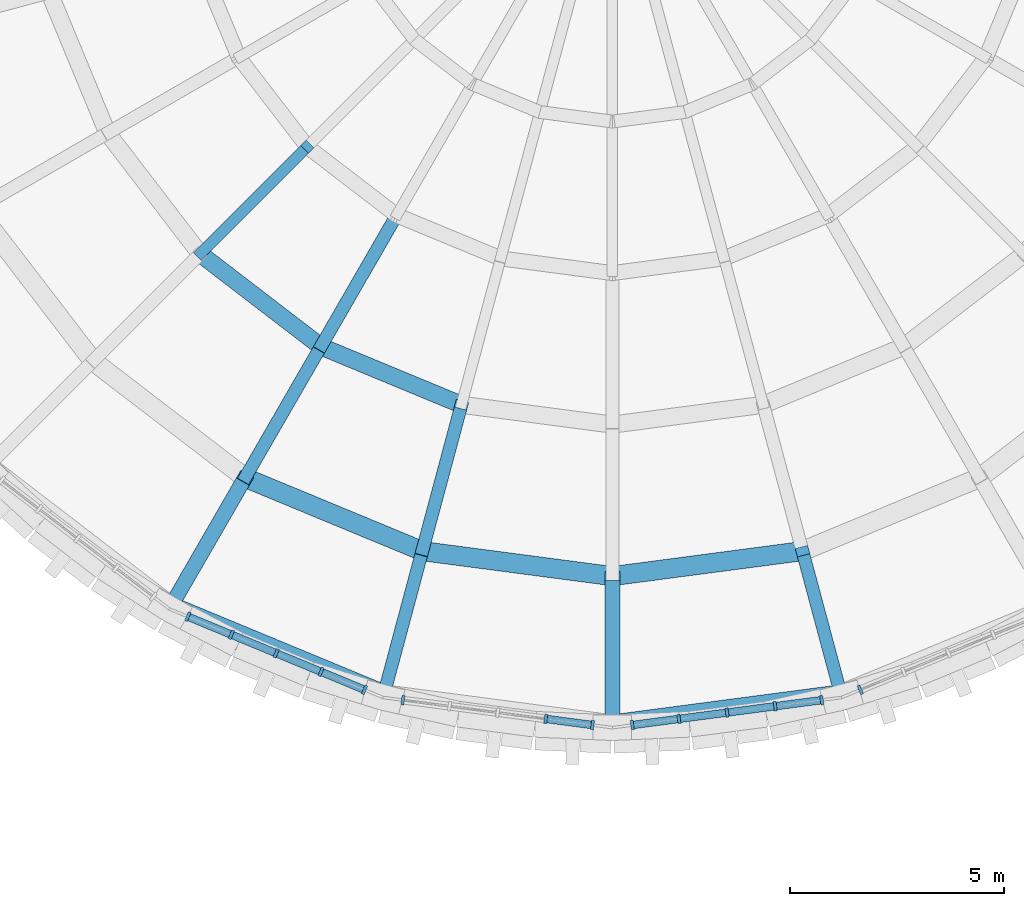
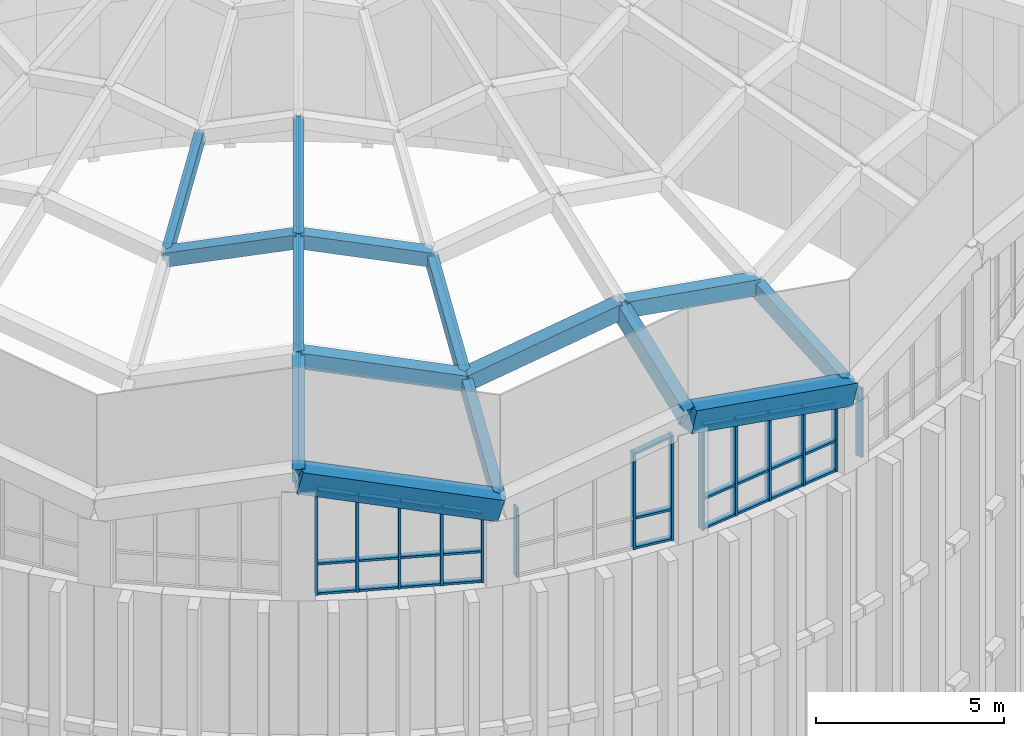
# One storey, part 6 of 82: 41 members, 15 beams, 4 elements without a shape of their own.
"""IFC4 building model written with IfcOpenShell, lengths in metres."""

from ifc_helpers import new_model, si_unit, direction, frame, origin, origin_2d, place, context, subcontext, project, spatial, rectangle, extrude, material, layer, layer_set, material_profile, profile_set, type_object, element, aggregate, save


model = new_model("IFC4")

# Units and contexts
model_context = context("Model", 3, precision=1e-05, world=origin(), true_north=direction((0.0, 1.0)))
body_context = subcontext(model_context, "Body", "Model", "MODEL_VIEW")
ifc_project = project(units=[si_unit("LENGTHUNIT", "METRE"), si_unit("AREAUNIT", "SQUARE_METRE"), si_unit("VOLUMEUNIT", "CUBIC_METRE"), si_unit("PLANEANGLEUNIT", "RADIAN"), si_unit("MASSUNIT", "GRAM", prefix="KILO")], contexts=[model_context])

# Site, building, storey
site_placement = place(None, origin())
site = spatial("IfcSite", under=ifc_project, at=site_placement, CompositionType="ELEMENT")
building_placement = place(site_placement, origin())
building = spatial("IfcBuilding", under=site, at=building_placement, Name="Volute Hill Aquarium", CompositionType="ELEMENT")
storey_placement = place(building_placement, frame((0.0, 0.0, 13.800048828125)))
storey = spatial("IfcBuildingStorey", under=building, at=storey_placement, Name="L04", CompositionType="ELEMENT", Elevation=13.800048828125)

# Curtain wall, members
ifc_material_1 = material(Name="Aluminium", Category="aluminium")
ifc_layer = layer(ifc_material_1, 0.219970703125)
ifc_layer_set = layer_set([ifc_layer], Name="Curtain wall DR clerestory module 1134")
curtain_wall_type = type_object("IfcCurtainWallType", Name="Curtain wall DR clerestory module 1134", PredefinedType="NOTDEFINED", material=ifc_layer_set)
curtain_wall_1_placement = place(storey_placement, origin())
curtain_wall_1 = element("IfcCurtainWall", 1, at=curtain_wall_1_placement, inside=storey, type_object=curtain_wall_type, Name="Curtain wall CW DR clerestory c16", PredefinedType="NOTDEFINED")
ifc_material_2 = material(Name="Aluminium", Category="aluminium")
ifc_material_profile_1 = material_profile(ifc_material_2, rectangle(XDim=0.219970703125, YDim=0.070068359375, at=origin_2d()), Name="Curtain wall mullion clerestory 70x220")
ifc_profile_set_1 = profile_set([ifc_material_profile_1], Name="Aluminium")
member_type_1 = type_object("IfcMemberType", Name="Curtain wall mullion clerestory 70x220", PredefinedType="MULLION", material=ifc_profile_set_1)
member_1_placement = place(storey_placement, frame((-9.916748046875, -18.106201171875, 13.699951171875), z_axis=(0.0, 0.0, 1.0), x_axis=(0.382696102118, 0.923874284426, 0.0)))
member_1 = element("IfcMember", 2, at=member_1_placement, type_object=member_type_1, Name="Mullion DR clerestory 1", PredefinedType="MULLION", context=body_context, shape_type="SweptSolid", body=[
    extrude(rectangle(XDim=0.219970703125, YDim=0.070068359375, at=origin_2d()), origin(), (0.0, 0.0, 1.0), 3.40576171875),
])
member_2_placement = place(storey_placement, frame((-8.9013671875, -18.526611328125, 13.699951171875), z_axis=(0.0, 0.0, 1.0), x_axis=(0.382696102118, 0.923874284426, 0.0)))
member_2 = element("IfcMember", 3, at=member_2_placement, type_object=member_type_1, Name="Mullion DR clerestory 2", PredefinedType="MULLION", context=body_context, shape_type="SweptSolid", body=[
    extrude(rectangle(XDim=0.219970703125, YDim=0.070068359375, at=origin_2d()), origin(), (0.0, 0.0, 1.0), 3.12109375),
])
member_3_placement = place(storey_placement, frame((-7.853759765625, -18.960693359375, 13.699951171875), z_axis=(0.0, 0.0, 1.0), x_axis=(0.382696102118, 0.923874284426, 0.0)))
member_3 = element("IfcMember", 4, at=member_3_placement, type_object=member_type_1, Name="Mullion DR clerestory 3", PredefinedType="MULLION", context=body_context, shape_type="SweptSolid", body=[
    extrude(rectangle(XDim=0.219970703125, YDim=0.070068359375, at=origin_2d()), origin(), (0.0, 0.0, 1.0), 2.827392578125),
])
member_4_placement = place(storey_placement, frame((-6.80615234375, -19.394775390625, 13.699951171875), z_axis=(0.0, 0.0, 1.0), x_axis=(0.382696102118, 0.923874284426, 0.0)))
member_4 = element("IfcMember", 5, at=member_4_placement, type_object=member_type_1, Name="Mullion DR clerestory 4", PredefinedType="MULLION", context=body_context, shape_type="SweptSolid", body=[
    extrude(rectangle(XDim=0.219970703125, YDim=0.070068359375, at=origin_2d()), origin(), (0.0, 0.0, 1.0), 2.533447265625),
])
member_5_placement = place(storey_placement, frame((-5.790771484375, -19.815185546875, 13.699951171875), z_axis=(0.0, 0.0, 1.0), x_axis=(0.382696102118, 0.923874284426, 0.0)))
member_5 = element("IfcMember", 6, at=member_5_placement, type_object=member_type_1, Name="Mullion DR clerestory 5", PredefinedType="MULLION", context=body_context, shape_type="SweptSolid", body=[
    extrude(rectangle(XDim=0.219970703125, YDim=0.070068359375, at=origin_2d()), origin(), (0.0, 0.0, 1.0), 2.248779296875),
])

curtain_wall_2_placement = place(storey_placement, origin())
curtain_wall_2 = element("IfcCurtainWall", 7, at=curtain_wall_2_placement, inside=storey, type_object=curtain_wall_type, Name="Curtain wall CW DR clerestory c17", PredefinedType="NOTDEFINED")
member_6_placement = place(storey_placement, frame((-4.892822265625, -20.055908203125, 13.699951171875), z_axis=(0.0, 0.0, 1.0), x_axis=(0.130518657667, 0.991445853287, 0.0)))
member_6 = element("IfcMember", 8, at=member_6_placement, type_object=member_type_1, Name="Mullion DR clerestory 1", PredefinedType="MULLION", context=body_context, shape_type="SweptSolid", body=[
    extrude(rectangle(XDim=0.219970703125, YDim=0.070068359375, at=origin_2d()), origin(), (0.0, 0.0, 1.0), 2.248779296875),
])
member_7_placement = place(storey_placement, frame((-1.554443359375, -20.495361328125, 13.699951171875), z_axis=(0.0, 0.0, 1.0), x_axis=(0.130518657667, 0.991445853287, 0.0)))
member_7 = element("IfcMember", 9, at=member_7_placement, type_object=member_type_1, Name="Mullion DR clerestory 4", PredefinedType="MULLION", context=body_context, shape_type="SweptSolid", body=[
    extrude(rectangle(XDim=0.219970703125, YDim=0.070068359375, at=origin_2d()), origin(), (0.0, 0.0, 1.0), 3.12109375),
])
member_8_placement = place(storey_placement, frame((-0.46484375, -20.638916015625, 13.699951171875), z_axis=(0.0, 0.0, 1.0), x_axis=(0.130518657667, 0.991445853287, 0.0)))
member_8 = element("IfcMember", 10, at=member_8_placement, type_object=member_type_1, Name="Mullion DR clerestory 5", PredefinedType="MULLION", context=body_context, shape_type="SweptSolid", body=[
    extrude(rectangle(XDim=0.219970703125, YDim=0.070068359375, at=origin_2d()), origin(), (0.0, 0.0, 1.0), 3.40576171875),
])

curtain_wall_3_placement = place(storey_placement, origin())
curtain_wall_3 = element("IfcCurtainWall", 11, at=curtain_wall_3_placement, inside=storey, type_object=curtain_wall_type, Name="Curtain wall CW DR clerestory c18", PredefinedType="NOTDEFINED")
member_9_placement = place(storey_placement, frame((0.46484375, -20.638916015625, 13.699951171875), z_axis=(0.0, 0.0, 1.0), x_axis=(-0.130518657667, 0.991445853287, 0.0)))
member_9 = element("IfcMember", 12, at=member_9_placement, type_object=member_type_1, Name="Mullion DR clerestory 1", PredefinedType="MULLION", context=body_context, shape_type="SweptSolid", body=[
    extrude(rectangle(XDim=0.219970703125, YDim=0.070068359375, at=origin_2d()), origin(), (0.0, 0.0, 1.0), 3.40576171875),
])
member_10_placement = place(storey_placement, frame((1.554443359375, -20.495361328125, 13.699951171875), z_axis=(0.0, 0.0, 1.0), x_axis=(-0.130518657667, 0.991445853287, 0.0)))
member_10 = element("IfcMember", 13, at=member_10_placement, type_object=member_type_1, Name="Mullion DR clerestory 2", PredefinedType="MULLION", context=body_context, shape_type="SweptSolid", body=[
    extrude(rectangle(XDim=0.219970703125, YDim=0.070068359375, at=origin_2d()), origin(), (0.0, 0.0, 1.0), 3.12109375),
])
member_11_placement = place(storey_placement, frame((2.6787109375, -20.347412109375, 13.699951171875), z_axis=(0.0, 0.0, 1.0), x_axis=(-0.130518657667, 0.991445853287, 0.0)))
member_11 = element("IfcMember", 14, at=member_11_placement, type_object=member_type_1, Name="Mullion DR clerestory 3", PredefinedType="MULLION", context=body_context, shape_type="SweptSolid", body=[
    extrude(rectangle(XDim=0.219970703125, YDim=0.070068359375, at=origin_2d()), origin(), (0.0, 0.0, 1.0), 2.827392578125),
])
member_12_placement = place(storey_placement, frame((3.80322265625, -20.19921875, 13.699951171875), z_axis=(0.0, 0.0, 1.0), x_axis=(-0.130518657667, 0.991445853287, 0.0)))
member_12 = element("IfcMember", 15, at=member_12_placement, type_object=member_type_1, Name="Mullion DR clerestory 4", PredefinedType="MULLION", context=body_context, shape_type="SweptSolid", body=[
    extrude(rectangle(XDim=0.219970703125, YDim=0.070068359375, at=origin_2d()), origin(), (0.0, 0.0, 1.0), 2.533447265625),
])
member_13_placement = place(storey_placement, frame((4.892822265625, -20.055908203125, 13.699951171875), z_axis=(0.0, 0.0, 1.0), x_axis=(-0.130518657667, 0.991445853287, 0.0)))
member_13 = element("IfcMember", 16, at=member_13_placement, type_object=member_type_1, Name="Mullion DR clerestory 5", PredefinedType="MULLION", context=body_context, shape_type="SweptSolid", body=[
    extrude(rectangle(XDim=0.219970703125, YDim=0.070068359375, at=origin_2d()), origin(), (0.0, 0.0, 1.0), 2.248779296875),
])

# Curtain wall, member
curtain_wall_4_placement = place(storey_placement, origin())
curtain_wall_4 = element("IfcCurtainWall", 17, at=curtain_wall_4_placement, inside=storey, type_object=curtain_wall_type, Name="Curtain wall CW DR clerestory c19", PredefinedType="NOTDEFINED")
member_14_placement = place(storey_placement, frame((5.790771484375, -19.815185546875, 13.699951171875), z_axis=(0.0, 0.0, 1.0), x_axis=(-0.382696102118, 0.923874284426, 0.0)))
member_14 = element("IfcMember", 18, at=member_14_placement, type_object=member_type_1, Name="Mullion DR clerestory 1", PredefinedType="MULLION", context=body_context, shape_type="SweptSolid", body=[
    extrude(rectangle(XDim=0.219970703125, YDim=0.070068359375, at=origin_2d()), origin(), (0.0, 0.0, 1.0), 2.248779296875),
])
aggregate(curtain_wall_4, [member_14])

# Member
ifc_material_3 = material(Name="Aluminium", Category="aluminium")
ifc_material_profile_2 = material_profile(ifc_material_3, rectangle(XDim=0.179931640625, YDim=0.070068359375, at=origin_2d()), Name="Curtain wall transom clerestory 70x180")
ifc_profile_set_2 = profile_set([ifc_material_profile_2], Name="Aluminium")
member_type_2 = type_object("IfcMemberType", Name="Curtain wall transom clerestory 70x180", PredefinedType="USERDEFINED", material=ifc_profile_set_2)
member_15_placement = place(storey_placement, frame((-9.884521484375, -18.11962890625, 13.73486328125), z_axis=(0.923875137994, -0.382694041496, 0.0), x_axis=(0.382694041496, 0.923875137994, 0.0)))
member_15 = element("IfcMember", 19, at=member_15_placement, type_object=member_type_2, Name="Transom DR clerestory 1.1", ObjectType="TRANSOM", PredefinedType="USERDEFINED", context=body_context, shape_type="SweptSolid", body=[
    extrude(rectangle(XDim=0.179931640625, YDim=0.070068359375, at=origin_2d()), origin(), (0.0, 0.0, 1.0), 1.029052734375),
])

member_16_placement = place(storey_placement, frame((-9.884521484375, -18.11962890625, 14.699951171875), z_axis=(0.923875137994, -0.382694041496, 0.0), x_axis=(0.382694041496, 0.923875137994, 0.0)))
member_16 = element("IfcMember", 20, at=member_16_placement, type_object=member_type_2, Name="Transom DR clerestory 1.2", ObjectType="TRANSOM", PredefinedType="USERDEFINED", context=body_context, shape_type="SweptSolid", body=[
    extrude(rectangle(XDim=0.179931640625, YDim=0.070068359375, at=origin_2d()), origin(), (0.0, 0.0, 1.0), 1.029052734375),
])

member_17_placement = place(storey_placement, frame((-9.884521484375, -18.11962890625, 17.061767578125), z_axis=(0.894346413946, -0.370462446249, -0.250802846438), x_axis=(0.382694041496, 0.923875137994, 0.0)))
member_17 = element("IfcMember", 21, at=member_17_placement, type_object=member_type_2, Name="Head member DR clerestory 1", ObjectType="TRANSOM", PredefinedType="USERDEFINED", context=body_context, shape_type="SweptSolid", body=[
    extrude(rectangle(XDim=0.179931640625, YDim=0.070068359375, at=origin_2d()), origin(), (0.0, 0.0, 1.0), 1.06298828125),
])

member_18_placement = place(storey_placement, frame((-8.869140625, -18.5400390625, 13.73486328125), z_axis=(0.923849008585, -0.38275711533, 0.0), x_axis=(0.38275711533, 0.923849008585, 0.0)))
member_18 = element("IfcMember", 22, at=member_18_placement, type_object=member_type_2, Name="Transom DR clerestory 2.1", ObjectType="TRANSOM", PredefinedType="USERDEFINED", context=body_context, shape_type="SweptSolid", body=[
    extrude(rectangle(XDim=0.179931640625, YDim=0.070068359375, at=origin_2d()), origin(), (0.0, 0.0, 1.0), 1.06396484375),
])

member_19_placement = place(storey_placement, frame((-8.869140625, -18.5400390625, 14.699951171875), z_axis=(0.923849008585, -0.38275711533, 0.0), x_axis=(0.38275711533, 0.923849008585, 0.0)))
member_19 = element("IfcMember", 23, at=member_19_placement, type_object=member_type_2, Name="Transom DR clerestory 2.2", ObjectType="TRANSOM", PredefinedType="USERDEFINED", context=body_context, shape_type="SweptSolid", body=[
    extrude(rectangle(XDim=0.179931640625, YDim=0.070068359375, at=origin_2d()), origin(), (0.0, 0.0, 1.0), 1.06396484375),
])

member_20_placement = place(storey_placement, frame((-8.869140625, -18.5400390625, 16.777099609375), z_axis=(0.894273714183, -0.3705038637, -0.251000818934), x_axis=(0.38275711533, 0.923849008585, 0.0)))
member_20 = element("IfcMember", 24, at=member_20_placement, type_object=member_type_2, Name="Head member DR clerestory 2", ObjectType="TRANSOM", PredefinedType="USERDEFINED", context=body_context, shape_type="SweptSolid", body=[
    extrude(rectangle(XDim=0.179931640625, YDim=0.070068359375, at=origin_2d()), origin(), (0.0, 0.0, 1.0), 1.09912109375),
])

member_21_placement = place(storey_placement, frame((-7.821533203125, -18.97412109375, 13.73486328125), z_axis=(0.923882616045, -0.382675987972, 0.0), x_axis=(0.382675987972, 0.923882616045, 0.0)))
member_21 = element("IfcMember", 25, at=member_21_placement, type_object=member_type_2, Name="Transom DR clerestory 3.1", ObjectType="TRANSOM", PredefinedType="USERDEFINED", context=body_context, shape_type="SweptSolid", body=[
    extrude(rectangle(XDim=0.179931640625, YDim=0.070068359375, at=origin_2d()), origin(), (0.0, 0.0, 1.0), 1.064208984375),
])

member_22_placement = place(storey_placement, frame((-7.821533203125, -18.97412109375, 14.699951171875), z_axis=(0.923882616045, -0.382675987972, 0.0), x_axis=(0.382675987972, 0.923882616045, 0.0)))
member_22 = element("IfcMember", 26, at=member_22_placement, type_object=member_type_2, Name="Transom DR clerestory 3.2", ObjectType="TRANSOM", PredefinedType="USERDEFINED", context=body_context, shape_type="SweptSolid", body=[
    extrude(rectangle(XDim=0.179931640625, YDim=0.070068359375, at=origin_2d()), origin(), (0.0, 0.0, 1.0), 1.064208984375),
])

member_23_placement = place(storey_placement, frame((-7.821533203125, -18.97412109375, 16.483154296875), z_axis=(0.894368010473, -0.37045091668, -0.250742856674), x_axis=(0.382675987972, 0.923882616045, 0.0)))
member_23 = element("IfcMember", 27, at=member_23_placement, type_object=member_type_2, Name="Head member DR clerestory 3", ObjectType="TRANSOM", PredefinedType="USERDEFINED", context=body_context, shape_type="SweptSolid", body=[
    extrude(rectangle(XDim=0.179931640625, YDim=0.070068359375, at=origin_2d()), origin(), (0.0, 0.0, 1.0), 1.099365234375),
])

member_24_placement = place(storey_placement, frame((-6.773681640625, -19.407958984375, 13.73486328125), z_axis=(0.923840379293, -0.382777942923, 0.0), x_axis=(0.382777942923, 0.923840379293, 0.0)))
member_24 = element("IfcMember", 28, at=member_24_placement, type_object=member_type_2, Name="Transom DR clerestory 4.1", ObjectType="TRANSOM", PredefinedType="USERDEFINED", context=body_context, shape_type="SweptSolid", body=[
    extrude(rectangle(XDim=0.179931640625, YDim=0.070068359375, at=origin_2d()), origin(), (0.0, 0.0, 1.0), 1.02880859375),
])

member_25_placement = place(storey_placement, frame((-6.773681640625, -19.407958984375, 14.699951171875), z_axis=(0.923840379293, -0.382777942923, 0.0), x_axis=(0.382777942923, 0.923840379293, 0.0)))
member_25 = element("IfcMember", 29, at=member_25_placement, type_object=member_type_2, Name="Transom DR clerestory 4.2", ObjectType="TRANSOM", PredefinedType="USERDEFINED", context=body_context, shape_type="SweptSolid", body=[
    extrude(rectangle(XDim=0.179931640625, YDim=0.070068359375, at=origin_2d()), origin(), (0.0, 0.0, 1.0), 1.02880859375),
])

member_26_placement = place(storey_placement, frame((-6.773681640625, -19.407958984375, 16.189453125), z_axis=(0.894300432006, -0.370538555568, -0.250854372399), x_axis=(0.382777942923, 0.923840379293, 0.0)))
member_26 = element("IfcMember", 30, at=member_26_placement, type_object=member_type_2, Name="Head member DR clerestory 4", ObjectType="TRANSOM", PredefinedType="USERDEFINED", context=body_context, shape_type="SweptSolid", body=[
    extrude(rectangle(XDim=0.179931640625, YDim=0.070068359375, at=origin_2d()), origin(), (0.0, 0.0, 1.0), 1.062744140625),
])

aggregate(curtain_wall_1, [member_1, member_2, member_3, member_4, member_5, member_15, member_16, member_17, member_18, member_19, member_20, member_21, member_22, member_23, member_24, member_25, member_26])

member_27_placement = place(storey_placement, frame((-1.519775390625, -20.5, 13.73486328125), z_axis=(0.991450257528, -0.130485197808, 0.0), x_axis=(0.130485197808, 0.991450257528, 0.0)))
member_27 = element("IfcMember", 31, at=member_27_placement, type_object=member_type_2, Name="Transom DR clerestory 4.1", ObjectType="TRANSOM", PredefinedType="USERDEFINED", context=body_context, shape_type="SweptSolid", body=[
    extrude(rectangle(XDim=0.179931640625, YDim=0.070068359375, at=origin_2d()), origin(), (0.0, 0.0, 1.0), 1.029052734375),
])

member_28_placement = place(storey_placement, frame((-1.519775390625, -20.5, 14.699951171875), z_axis=(0.991450257528, -0.130485197808, 0.0), x_axis=(0.130485197808, 0.991450257528, 0.0)))
member_28 = element("IfcMember", 32, at=member_28_placement, type_object=member_type_2, Name="Transom DR clerestory 4.2", ObjectType="TRANSOM", PredefinedType="USERDEFINED", context=body_context, shape_type="SweptSolid", body=[
    extrude(rectangle(XDim=0.179931640625, YDim=0.070068359375, at=origin_2d()), origin(), (0.0, 0.0, 1.0), 1.029052734375),
])

member_29_placement = place(storey_placement, frame((-1.519775390625, -20.5, 16.795166015625), z_axis=(0.959764319859, -0.126314997828, 0.250792686596), x_axis=(0.130485197808, 0.991450257528, 0.0)))
member_29 = element("IfcMember", 33, at=member_29_placement, type_object=member_type_2, Name="Head member DR clerestory 4", ObjectType="TRANSOM", PredefinedType="USERDEFINED", context=body_context, shape_type="SweptSolid", body=[
    extrude(rectangle(XDim=0.179931640625, YDim=0.070068359375, at=origin_2d()), origin(), (0.0, 0.0, 1.0), 1.06298828125),
])

aggregate(curtain_wall_2, [member_6, member_7, member_8, member_27, member_28, member_29])

member_30_placement = place(storey_placement, frame((0.49951171875, -20.63427734375, 13.73486328125), z_axis=(0.991450257528, 0.130485197808, 0.0), x_axis=(-0.130485197808, 0.991450257528, 0.0)))
member_30 = element("IfcMember", 34, at=member_30_placement, type_object=member_type_2, Name="Transom DR clerestory 1.1", ObjectType="TRANSOM", PredefinedType="USERDEFINED", context=body_context, shape_type="SweptSolid", body=[
    extrude(rectangle(XDim=0.179931640625, YDim=0.070068359375, at=origin_2d()), origin(), (0.0, 0.0, 1.0), 1.029052734375),
])

member_31_placement = place(storey_placement, frame((0.49951171875, -20.63427734375, 14.699951171875), z_axis=(0.991450257528, 0.130485197808, 0.0), x_axis=(-0.130485197808, 0.991450257528, 0.0)))
member_31 = element("IfcMember", 35, at=member_31_placement, type_object=member_type_2, Name="Transom DR clerestory 1.2", ObjectType="TRANSOM", PredefinedType="USERDEFINED", context=body_context, shape_type="SweptSolid", body=[
    extrude(rectangle(XDim=0.179931640625, YDim=0.070068359375, at=origin_2d()), origin(), (0.0, 0.0, 1.0), 1.029052734375),
])

member_32_placement = place(storey_placement, frame((0.49951171875, -20.63427734375, 17.061767578125), z_axis=(0.959764319859, 0.126314997828, -0.250792686596), x_axis=(-0.130485197808, 0.991450257528, 0.0)))
member_32 = element("IfcMember", 36, at=member_32_placement, type_object=member_type_2, Name="Head member DR clerestory 1", ObjectType="TRANSOM", PredefinedType="USERDEFINED", context=body_context, shape_type="SweptSolid", body=[
    extrude(rectangle(XDim=0.179931640625, YDim=0.070068359375, at=origin_2d()), origin(), (0.0, 0.0, 1.0), 1.06298828125),
])

member_33_placement = place(storey_placement, frame((1.589111328125, -20.49072265625, 13.73486328125), z_axis=(0.991441014026, 0.1305554124, 0.0), x_axis=(-0.1305554124, 0.991441014026, 0.0)))
member_33 = element("IfcMember", 37, at=member_33_placement, type_object=member_type_2, Name="Transom DR clerestory 2.1", ObjectType="TRANSOM", PredefinedType="USERDEFINED", context=body_context, shape_type="SweptSolid", body=[
    extrude(rectangle(XDim=0.179931640625, YDim=0.070068359375, at=origin_2d()), origin(), (0.0, 0.0, 1.0), 1.06396484375),
])

member_34_placement = place(storey_placement, frame((1.589111328125, -20.49072265625, 14.699951171875), z_axis=(0.991441014026, 0.1305554124, 0.0), x_axis=(-0.1305554124, 0.991441014026, 0.0)))
member_34 = element("IfcMember", 38, at=member_34_placement, type_object=member_type_2, Name="Transom DR clerestory 2.2", ObjectType="TRANSOM", PredefinedType="USERDEFINED", context=body_context, shape_type="SweptSolid", body=[
    extrude(rectangle(XDim=0.179931640625, YDim=0.070068359375, at=origin_2d()), origin(), (0.0, 0.0, 1.0), 1.06396484375),
])

member_35_placement = place(storey_placement, frame((1.589111328125, -20.49072265625, 16.777099609375), z_axis=(0.959708098571, 0.126376743366, -0.250976660816), x_axis=(-0.1305554124, 0.991441014026, 0.0)))
member_35 = element("IfcMember", 39, at=member_35_placement, type_object=member_type_2, Name="Head member DR clerestory 2", ObjectType="TRANSOM", PredefinedType="USERDEFINED", context=body_context, shape_type="SweptSolid", body=[
    extrude(rectangle(XDim=0.179931640625, YDim=0.070068359375, at=origin_2d()), origin(), (0.0, 0.0, 1.0), 1.09912109375),
])

member_36_placement = place(storey_placement, frame((2.71337890625, -20.3427734375, 13.73486328125), z_axis=(0.991441014026, 0.1305554124, 0.0), x_axis=(-0.1305554124, 0.991441014026, 0.0)))
member_36 = element("IfcMember", 40, at=member_36_placement, type_object=member_type_2, Name="Transom DR clerestory 3.1", ObjectType="TRANSOM", PredefinedType="USERDEFINED", context=body_context, shape_type="SweptSolid", body=[
    extrude(rectangle(XDim=0.179931640625, YDim=0.070068359375, at=origin_2d()), origin(), (0.0, 0.0, 1.0), 1.06396484375),
])

member_37_placement = place(storey_placement, frame((2.71337890625, -20.3427734375, 14.699951171875), z_axis=(0.991441014026, 0.1305554124, 0.0), x_axis=(-0.1305554124, 0.991441014026, 0.0)))
member_37 = element("IfcMember", 41, at=member_37_placement, type_object=member_type_2, Name="Transom DR clerestory 3.2", ObjectType="TRANSOM", PredefinedType="USERDEFINED", context=body_context, shape_type="SweptSolid", body=[
    extrude(rectangle(XDim=0.179931640625, YDim=0.070068359375, at=origin_2d()), origin(), (0.0, 0.0, 1.0), 1.06396484375),
])

member_38_placement = place(storey_placement, frame((2.71337890625, -20.3427734375, 16.483154296875), z_axis=(0.959761576118, 0.126383785423, -0.250768530302), x_axis=(-0.1305554124, 0.991441014026, 0.0)))
member_38 = element("IfcMember", 42, at=member_38_placement, type_object=member_type_2, Name="Head member DR clerestory 3", ObjectType="TRANSOM", PredefinedType="USERDEFINED", context=body_context, shape_type="SweptSolid", body=[
    extrude(rectangle(XDim=0.179931640625, YDim=0.070068359375, at=origin_2d()), origin(), (0.0, 0.0, 1.0), 1.09912109375),
])

member_39_placement = place(storey_placement, frame((3.837890625, -20.19482421875, 13.73486328125), z_axis=(0.991446216664, 0.130515897359, 0.0), x_axis=(-0.130515897359, 0.991446216664, 0.0)))
member_39 = element("IfcMember", 43, at=member_39_placement, type_object=member_type_2, Name="Transom DR clerestory 4.1", ObjectType="TRANSOM", PredefinedType="USERDEFINED", context=body_context, shape_type="SweptSolid", body=[
    extrude(rectangle(XDim=0.179931640625, YDim=0.070068359375, at=origin_2d()), origin(), (0.0, 0.0, 1.0), 1.02880859375),
])

member_40_placement = place(storey_placement, frame((3.837890625, -20.19482421875, 14.699951171875), z_axis=(0.991446216664, 0.130515897359, 0.0), x_axis=(-0.130515897359, 0.991446216664, 0.0)))
member_40 = element("IfcMember", 44, at=member_40_placement, type_object=member_type_2, Name="Transom DR clerestory 4.2", ObjectType="TRANSOM", PredefinedType="USERDEFINED", context=body_context, shape_type="SweptSolid", body=[
    extrude(rectangle(XDim=0.179931640625, YDim=0.070068359375, at=origin_2d()), origin(), (0.0, 0.0, 1.0), 1.02880859375),
])

member_41_placement = place(storey_placement, frame((3.837890625, -20.19482421875, 16.189453125), z_axis=(0.959746204329, 0.126342846429, -0.250847978728), x_axis=(-0.130515897359, 0.991446216664, 0.0)))
member_41 = element("IfcMember", 45, at=member_41_placement, type_object=member_type_2, Name="Head member DR clerestory 4", ObjectType="TRANSOM", PredefinedType="USERDEFINED", context=body_context, shape_type="SweptSolid", body=[
    extrude(rectangle(XDim=0.179931640625, YDim=0.070068359375, at=origin_2d()), origin(), (0.0, 0.0, 1.0), 1.062744140625),
])

aggregate(curtain_wall_3, [member_9, member_10, member_11, member_12, member_13, member_30, member_31, member_32, member_33, member_34, member_35, member_36, member_37, member_38, member_39, member_40, member_41])

# Beams
ifc_material_4 = material(Name="Concrete C40/50", Category="concrete")
ifc_material_profile_3 = material_profile(ifc_material_4, rectangle(XDim=0.60009765625, YDim=0.699951171875, at=origin_2d()), Name="RC beam 600x700")
ifc_profile_set_3 = profile_set([ifc_material_profile_3], Name="Concrete C40/50")
beam_type_1 = type_object("IfcBeamType", Name="Dome shell eave ring beam 600x700", PredefinedType="BEAM", material=ifc_profile_set_3)
beam_1_placement = place(storey_placement, frame((-10.35009765625, -17.9267578125, 17.51611328125), z_axis=(0.894359389043, -0.370444717355, -0.250782763791), x_axis=(0.382673670509, 0.923883575944, 0.0)))
element("IfcBeam", 46, at=beam_1_placement, inside=storey, type_object=beam_type_1, Name="rb/DR/L04/eave.16", PredefinedType="BEAM", context=body_context, shape_type="SweptSolid", body=[
    extrude(rectangle(XDim=0.60009765625, YDim=0.699951171875, at=origin_2d()), origin(), (0.0, 0.0, 1.0), 5.58203125),
])
beam_2_placement = place(storey_placement, frame((0.0, -20.699951171875, 17.51611328125), z_axis=(0.959763944084, 0.126350331942, -0.250776325148), x_axis=(-0.130521126954, 0.991445528216, 0.0)))
element("IfcBeam", 47, at=beam_2_placement, inside=storey, type_object=beam_type_1, Name="rb/DR/L04/eave.18", PredefinedType="BEAM", context=body_context, shape_type="SweptSolid", body=[
    extrude(rectangle(XDim=0.60009765625, YDim=0.699951171875, at=origin_2d()), origin(), (0.0, 0.0, 1.0), 5.582275390625),
])
ifc_material_5 = material(Name="Concrete C40/50", Category="concrete")
ifc_material_profile_4 = material_profile(ifc_material_5, rectangle(XDim=0.300048828125, YDim=0.5, at=origin_2d()), Name="RC rib 300x500")
ifc_profile_set_4 = profile_set([ifc_material_profile_4], Name="Concrete C40/50")
beam_type_2 = type_object("IfcBeamType", Name="Dome shell ridge rib 300x500", PredefinedType="BEAM", material=ifc_profile_set_4)
beam_3_placement = place(storey_placement, frame((-6.81005859375, -11.79541015625, 20.294677734375), z_axis=(0.467504723153, 0.809782663911, 0.354529788675), x_axis=(-0.866036293601, 0.499981137809, 0.0)))
element("IfcBeam", 48, at=beam_3_placement, inside=storey, type_object=beam_type_2, Name="rb/DR/L04/ridge2.16", PredefinedType="BEAM", context=body_context, shape_type="SweptSolid", body=[
    extrude(rectangle(XDim=0.300048828125, YDim=0.5, at=origin_2d()), origin(), (0.0, 0.0, 1.0), 3.7861328125),
])
ifc_material_6 = material(Name="Concrete C40/50", Category="concrete")
ifc_material_profile_5 = material_profile(ifc_material_6, rectangle(XDim=0.300048828125, YDim=0.550048828125, at=origin_2d()), Name="RC rib 300x550")
ifc_profile_set_5 = profile_set([ifc_material_profile_5], Name="Concrete C40/50")
beam_type_3 = type_object("IfcBeamType", Name="Dome shell ridge rib 300x550", PredefinedType="BEAM", material=ifc_profile_set_5)
beam_4_placement = place(storey_placement, frame((-8.580078125, -14.861083984375, 18.92578125), z_axis=(0.467529136043, 0.809760463627, 0.354548302064), x_axis=(-0.866019052629, 0.500011000363, 0.0)))
element("IfcBeam", 49, at=beam_4_placement, inside=storey, type_object=beam_type_3, Name="rb/DR/L04/ridge1.16", PredefinedType="BEAM", context=body_context, shape_type="SweptSolid", body=[
    extrude(rectangle(XDim=0.300048828125, YDim=0.550048828125, at=origin_2d()), origin(), (0.0, 0.0, 1.0), 3.785888671875),
])
ifc_material_7 = material(Name="Concrete C40/50", Category="concrete")
ifc_material_profile_6 = material_profile(ifc_material_7, rectangle(XDim=0.35009765625, YDim=0.60009765625, at=origin_2d()), Name="RC rib 350x600")
ifc_profile_set_6 = profile_set([ifc_material_profile_6], Name="Concrete C40/50")
beam_type_4 = type_object("IfcBeamType", Name="Dome shell ridge rib 350x600", PredefinedType="BEAM", material=ifc_profile_set_6)
for number, where, z_axis, x_axis, name in (
    (50, (-10.35009765625, -17.9267578125, 17.556884765625), (0.467539824873, 0.80977897668, 0.354491919631), (-0.866019052629, 0.500011000363, 0.0), "rb/DR/L04/ridge0.16"),
    (51, (0.0, -20.699951171875, 17.556884765625), (0.0, 0.935061662861, 0.354485100741), (-1.0, 0.0, 0.0), "rb/DR/L04/ridge0.18"),
):
    element("IfcBeam", number, at=place(storey_placement, frame(where, z_axis=z_axis, x_axis=x_axis)), inside=storey, type_object=beam_type_4, Name=name, PredefinedType="BEAM", context=body_context, shape_type="SweptSolid", body=[
        extrude(rectangle(XDim=0.35009765625, YDim=0.60009765625, at=origin_2d()), origin(), (0.0, 0.0, 1.0), 3.785888671875),
    ])
ifc_material_8 = material(Name="Concrete C40/50", Category="concrete")
ifc_material_profile_7 = material_profile(ifc_material_8, rectangle(XDim=0.39990234375, YDim=0.449951171875, at=origin_2d()), Name="RC beam 400x450")
ifc_profile_set_7 = profile_set([ifc_material_profile_7], Name="Concrete C40/50")
beam_type_5 = type_object("IfcBeamType", Name="Dome shell ring beam 400x450", PredefinedType="BEAM", material=ifc_profile_set_7)
for number, where, z_axis, x_axis, name in (
    (52, (-9.630859375, -9.630859375, 19.408447265625), (0.767989284107, -0.589319109649, 0.250789645918), (0.608774566293, 0.793343259525, 0.0), "rb/DR/L04/ring2.15"),
    (53, (-6.81005859375, -11.79541015625, 20.32958984375), (0.89435881781, -0.370439367644, -0.250792703054), (0.382669162072, 0.923885443331, 0.0), "rb/DR/L04/ring2.16"),
):
    element("IfcBeam", number, at=place(storey_placement, frame(where, z_axis=z_axis, x_axis=x_axis)), inside=storey, type_object=beam_type_5, Name=name, PredefinedType="BEAM", context=body_context, shape_type="SweptSolid", body=[
        extrude(rectangle(XDim=0.39990234375, YDim=0.449951171875, at=origin_2d()), origin(), (0.0, 0.0, 1.0), 3.6728515625),
    ])
ifc_material_9 = material(Name="Concrete C40/50", Category="concrete")
ifc_material_profile_8 = material_profile(ifc_material_9, rectangle(XDim=0.449951171875, YDim=0.5, at=origin_2d()), Name="RC beam 450x500")
ifc_profile_set_8 = profile_set([ifc_material_profile_8], Name="Concrete C40/50")
beam_type_6 = type_object("IfcBeamType", Name="Dome shell ring beam 450x500", PredefinedType="BEAM", material=ifc_profile_set_8)
beam_5_placement = place(storey_placement, frame((-8.580078125, -14.861083984375, 18.961669921875), z_axis=(0.894361984725, -0.37041738407, -0.250813878916), x_axis=(0.382648621371, 0.923893950929, 0.0)))
element("IfcBeam", 54, at=beam_5_placement, inside=storey, type_object=beam_type_6, Name="rb/DR/L04/ring1.16", PredefinedType="BEAM", context=body_context, shape_type="SweptSolid", body=[
    extrude(rectangle(XDim=0.449951171875, YDim=0.5, at=origin_2d()), origin(), (0.0, 0.0, 1.0), 4.62744140625),
])
for number, where, z_axis, x_axis, name in (
    (55, (-4.44140625, -16.5751953125, 17.801025390625), (0.959755610511, -0.126353050087, 0.250806847646), (0.130525001021, 0.991445018197, 0.0), "rb/DR/L04/ring1.17"),
    (56, (0.0, -17.159912109375, 18.961669921875), (0.959755610511, 0.126353050087, -0.250806847646), (-0.130525001021, 0.991445018197, 0.0), "rb/DR/L04/ring1.18"),
):
    element("IfcBeam", number, at=place(storey_placement, frame(where, z_axis=z_axis, x_axis=x_axis)), inside=storey, type_object=beam_type_6, Name=name, PredefinedType="BEAM", context=body_context, shape_type="SweptSolid", body=[
        extrude(rectangle(XDim=0.449951171875, YDim=0.5, at=origin_2d()), origin(), (0.0, 0.0, 1.0), 4.627685546875),
    ])
ifc_material_10 = material(Name="Concrete C40/50", Category="concrete")
ifc_material_profile_9 = material_profile(ifc_material_10, rectangle(XDim=0.25, YDim=0.449951171875, at=origin_2d()), Name="RC rib 250x450")
ifc_profile_set_9 = profile_set([ifc_material_profile_9], Name="Concrete C40/50")
beam_type_7 = type_object("IfcBeamType", Name="Dome shell valley rib 250x450", PredefinedType="BEAM", material=ifc_profile_set_9)
beam_6_placement = place(storey_placement, frame((-9.630859375, -9.630859375, 19.39453125), z_axis=(0.645589557289, 0.645589557289, 0.407956182744), x_axis=(-0.707106781187, 0.707106781187, 0.0)))
element("IfcBeam", 57, at=beam_6_placement, inside=storey, type_object=beam_type_7, Name="rb/DR/L04/valley2.15", PredefinedType="BEAM", context=body_context, shape_type="SweptSolid", body=[
    extrude(rectangle(XDim=0.25, YDim=0.449951171875, at=origin_2d()), origin(), (0.0, 0.0, 1.0), 3.87744140625),
])
ifc_material_11 = material(Name="Concrete C40/50", Category="concrete")
ifc_material_profile_10 = material_profile(ifc_material_11, rectangle(XDim=0.300048828125, YDim=0.449951171875, at=origin_2d()), Name="RC rib 300x450")
ifc_profile_set_10 = profile_set([ifc_material_profile_10], Name="Concrete C40/50")
beam_type_8 = type_object("IfcBeamType", Name="Dome shell valley rib 300x450", PredefinedType="BEAM", material=ifc_profile_set_10)
beam_7_placement = place(storey_placement, frame((-4.44140625, -16.5751953125, 17.812744140625), z_axis=(0.236321857906, 0.881877863035, 0.407974771482), x_axis=(-0.965919419406, 0.258842954733, 0.0)))
element("IfcBeam", 58, at=beam_7_placement, inside=storey, type_object=beam_type_8, Name="rb/DR/L04/valley1.17", PredefinedType="BEAM", context=body_context, shape_type="SweptSolid", body=[
    extrude(rectangle(XDim=0.300048828125, YDim=0.449951171875, at=origin_2d()), origin(), (0.0, 0.0, 1.0), 3.877197265625),
])
ifc_material_12 = material(Name="Concrete C40/50", Category="concrete")
ifc_material_profile_11 = material_profile(ifc_material_12, rectangle(XDim=0.300048828125, YDim=0.5, at=origin_2d()), Name="RC rib 300x500")
ifc_profile_set_11 = profile_set([ifc_material_profile_11], Name="Concrete C40/50")
beam_type_9 = type_object("IfcBeamType", Name="Dome shell valley rib 300x500", PredefinedType="BEAM", material=ifc_profile_set_11)
for number, where, z_axis, x_axis, name in (
    (59, (-5.357666015625, -19.99462890625, 16.203857421875), (0.236314805179, 0.881914511416, 0.407899629084), (-0.965924039886, 0.258825711959, 0.0), "rb/DR/L04/valley0.17"),
    (60, (5.357666015625, -19.99462890625, 16.203857421875), (-0.236314805179, 0.881914511416, 0.407899629084), (-0.965924039886, -0.258825711959, 0.0), "rb/DR/L04/valley0.19"),
):
    element("IfcBeam", number, at=place(storey_placement, frame(where, z_axis=z_axis, x_axis=x_axis)), inside=storey, type_object=beam_type_9, Name=name, PredefinedType="BEAM", context=body_context, shape_type="SweptSolid", body=[
        extrude(rectangle(XDim=0.300048828125, YDim=0.5, at=origin_2d()), origin(), (0.0, 0.0, 1.0), 3.877197265625),
    ])

save(model, "model.ifc")
